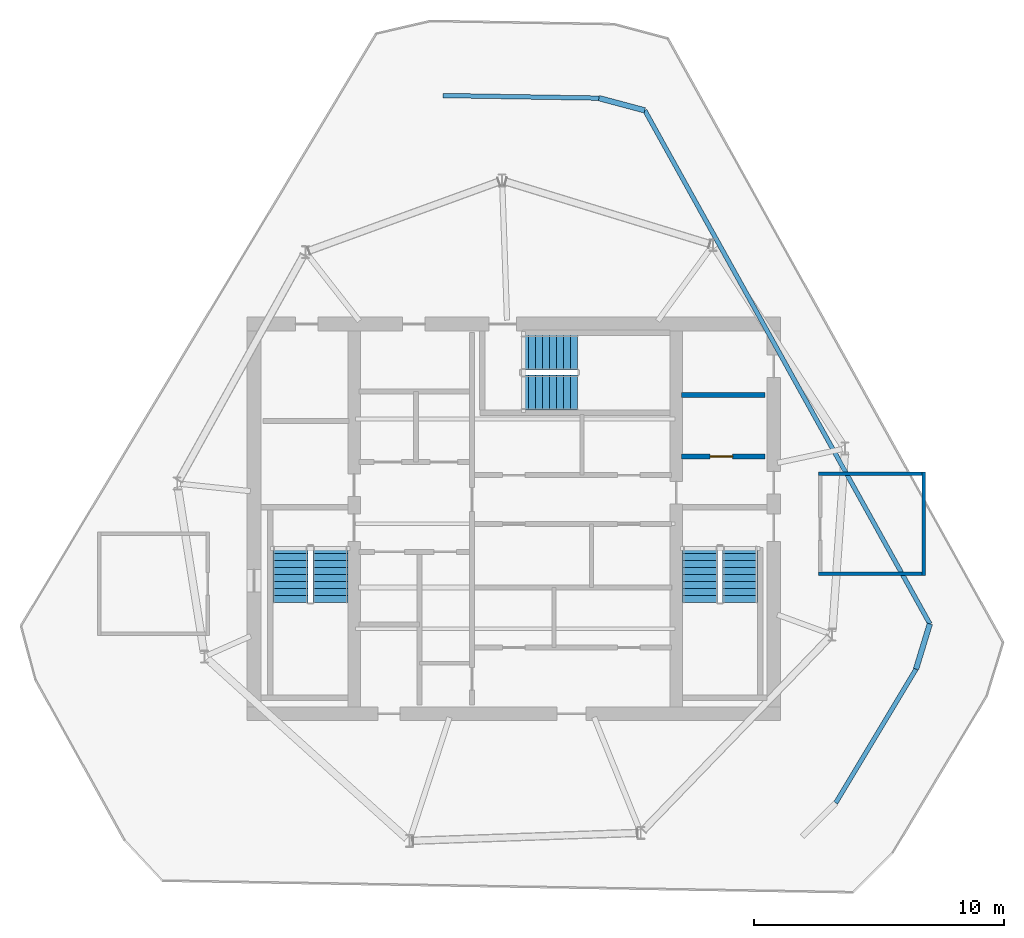
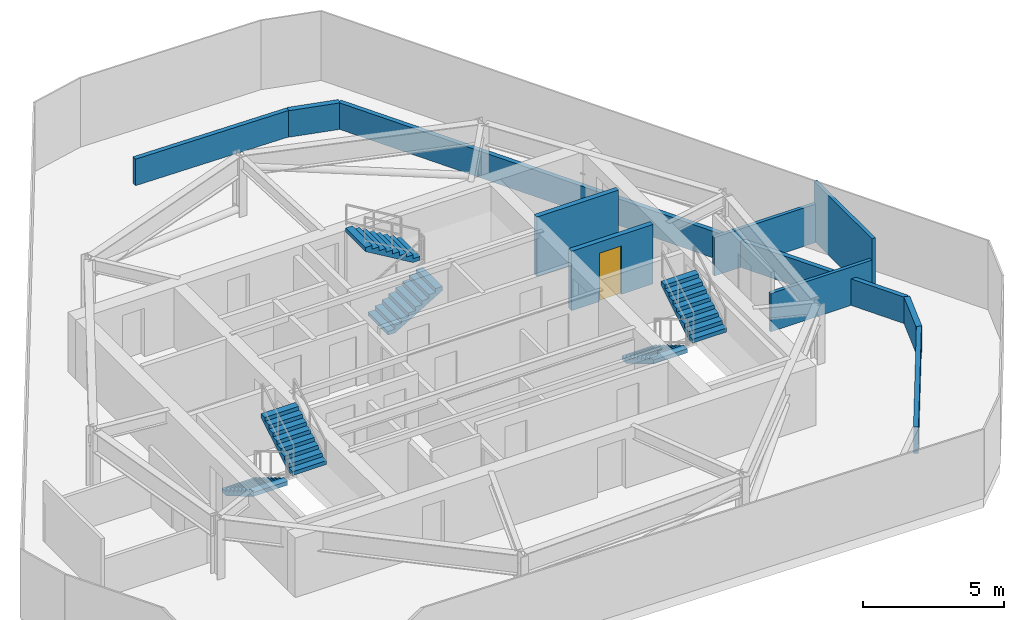
# One storey, part 5 of 6: 10 walls, 6 stair flights, 1 door, 1 opening, 3 elements without a shape of their own.
"""IFC4 building model written with IfcOpenShell, lengths in metres."""

from ifc_helpers import new_model, si_unit, direction, frame, frame_2d, origin, place, context, subcontext, project, spatial, polyline, rectangle, outline, extrude, material, layer, layer_set, type_object, element, fill, aggregate, save


model = new_model("IFC4")

# Units and contexts
model_context = context("Model", 3, precision=1e-05, world=origin(), true_north=direction((0.0, 1.0)))
body_context = subcontext(model_context, "Body", "Model", "MODEL_VIEW")
ifc_project = project(units=[si_unit("LENGTHUNIT", "METRE"), si_unit("AREAUNIT", "SQUARE_METRE"), si_unit("VOLUMEUNIT", "CUBIC_METRE"), si_unit("PLANEANGLEUNIT", "RADIAN"), si_unit("MASSUNIT", "GRAM", prefix="KILO")], contexts=[model_context])

# Site, building, storey
site_placement = place(None, origin())
site = spatial("IfcSite", under=ifc_project, at=site_placement, CompositionType="ELEMENT")
building_placement = place(site_placement, origin())
building = spatial("IfcBuilding", under=site, at=building_placement, Name="Qarnah Convention Tower", CompositionType="ELEMENT")
storey_placement = place(building_placement, frame((0.0, 0.0, 289.89990234375)))
storey = spatial("IfcBuildingStorey", under=building, at=storey_placement, Name="L78", CompositionType="ELEMENT", Elevation=289.89990234375)

# Wall, opening, door
ifc_material_1 = material(Name="Concrete C45/55", Category="concrete")
ifc_layer_1 = layer(ifc_material_1, 0.199951171875)
ifc_layer_set_1 = layer_set([ifc_layer_1], Name="Concrete C45/55")
wall_type_1 = type_object("IfcWallType", Name="WL-CORE-PART-200", PredefinedType="SOLIDWALL", material=ifc_layer_set_1)
wall_1_placement = place(storey_placement, frame((43.89990234375, 28.89990234375, 0.0), z_axis=(0.0, 0.0, 1.0), x_axis=(1.0, 0.0, 0.0)))
wall_1 = element("IfcWall", 1, at=wall_1_placement, inside=storey, type_object=wall_type_1, Name="L78 interior wall IW-L78-EVSTN", PredefinedType="SOLIDWALL", context=body_context, shape_type="SweptSolid", body=[
    extrude(rectangle(XDim=3.35009765625, YDim=0.199951171875, at=frame_2d((1.675048828125, 0.0))), origin(), (0.0, 0.0, 1.0), 2.580078125),
])
opening_placement = place(wall_1_placement, frame((1.14990234375, 0.0, 0.0)))
opening = element("IfcOpeningElement", 2, at=opening_placement, cuts=wall_1, Name="Opening D-7811", PredefinedType="OPENING", context=body_context, shape_type="SweptSolid", body=[
    extrude(rectangle(XDim=0.89990234375, YDim=2.10009765625, at=frame_2d((0.449951171875, 1.050048828125))), frame((0.0, 0.10986328125, 0.0), z_axis=(0.0, -1.0, 0.0), x_axis=(1.0, 0.0, 0.0)), (0.0, 0.0, 1.0), 0.219970703125),
])
ifc_material_2 = material(Name="Structural steel S355JR", Category="steel")
door_type = type_object("IfcDoorType", Name="DT-RISER-900", OperationType="NOTDEFINED", PredefinedType="DOOR", material=ifc_material_2)
door_placement = place(opening_placement, origin())
door = element("IfcDoor", 3, at=door_placement, inside=storey, type_object=door_type, Name="Door D-7811", OperationType="SINGLE_SWING_RIGHT", OverallHeight=2.10009765625, OverallWidth=0.89990234375, PredefinedType="DOOR", context=body_context, shape_type="SweptSolid", body=[
    extrude(rectangle(XDim=0.89990234375, YDim=2.10009765625, at=frame_2d((0.449951171875, 1.050048828125))), frame((0.0, 0.02490234375, 0.0), z_axis=(0.0, -1.0, 0.0), x_axis=(1.0, 0.0, 0.0)), (0.0, 0.0, 1.0), 0.050048828125),
])
fill(opening, door)

# Walls
wall_2_placement = place(storey_placement, frame((43.89990234375, 31.35009765625, 0.0), z_axis=(0.0, 0.0, 1.0), x_axis=(1.0, 0.0, 0.0)))
element("IfcWall", 4, at=wall_2_placement, inside=storey, type_object=wall_type_1, Name="L78 interior wall IW-L78-WTRN", PredefinedType="SOLIDWALL", context=body_context, shape_type="SweptSolid", body=[
    extrude(rectangle(XDim=3.35009765625, YDim=0.199951171875, at=frame_2d((1.675048828125, 0.0))), origin(), (0.0, 0.0, 1.0), 2.580078125),
])
ifc_material_3 = material(Name="Precast concrete C45/55", Category="concrete")
ifc_layer_2 = layer(ifc_material_3, 0.179931640625)
ifc_layer_set_2 = layer_set([ifc_layer_2], Name="Precast concrete C45/55")
wall_type_2 = type_object("IfcWallType", Name="WL-PAR-180", PredefinedType="PARAPET", material=ifc_layer_set_2)
wall_3_placement = place(storey_placement, frame((34.362060546875, 43.341064453125, 0.0), z_axis=(0.0, 0.0, 1.0), x_axis=(0.99986121605, -0.01665979106, 0.0)))
element("IfcWall", 5, at=wall_3_placement, inside=storey, type_object=wall_type_2, Name="L78 crown maintenance parapet 1", PredefinedType="PARAPET", context=body_context, shape_type="SweptSolid", body=[
    extrude(rectangle(XDim=6.242919921875, YDim=0.179931640625, at=frame_2d((3.12158203125, 0.0))), origin(), (0.0, 0.0, 1.0), 1.150146484375),
])
wall_4_placement = place(storey_placement, frame((42.43505859375, 42.7470703125, 0.0), z_axis=(0.0, 0.0, 1.0), x_axis=(0.485411824616, -0.874285628684, 0.0)))
element("IfcWall", 6, at=wall_4_placement, inside=storey, type_object=wall_type_2, Name="L78 crown maintenance parapet 3", PredefinedType="PARAPET", context=body_context, shape_type="SweptSolid", body=[
    extrude(rectangle(XDim=23.501708984375, YDim=0.179931640625, at=frame_2d((11.7509765625, 0.0))), origin(), (0.0, 0.0, 1.0), 1.150146484375),
])
wall_5_placement = place(storey_placement, frame((53.2900390625, 20.386962890625, 0.0), z_axis=(0.0, 0.0, 1.0), x_axis=(-0.514392221685, -0.857555037459, 0.0)))
element("IfcWall", 7, at=wall_5_placement, inside=storey, type_object=wall_type_2, Name="L78 crown maintenance parapet 5", PredefinedType="PARAPET", context=body_context, shape_type="SweptSolid", body=[
    extrude(rectangle(XDim=6.2421875, YDim=0.179931640625, at=frame_2d((3.12109375, 0.0))), origin(), (0.0, 0.0, 1.0), 1.150146484375),
])
ifc_layer_3 = layer(ifc_material_3, 0.219970703125)
ifc_layer_set_3 = layer_set([ifc_layer_3], Name="Precast concrete C45/55")
wall_type_3 = type_object("IfcWallType", Name="WL-PAR-220", PredefinedType="PARAPET", material=ifc_layer_set_3)
for number, where, z_axis, x_axis, name in (
    (8, (40.60400390625, 43.237060546875, 0.0), (0.0, 0.0, 1.0), (0.96601010587, -0.258504304331, 0.0), "L78 crown maintenance parapet 2"),
    (9, (53.843017578125, 22.199951171875, 0.0), (0.0, 0.0, 1.0), (-0.29174073409, -0.956497435476, 0.0), "L78 crown maintenance parapet 4"),
):
    element("IfcWall", number, at=place(storey_placement, frame(where, z_axis=z_axis, x_axis=x_axis)), inside=storey, type_object=wall_type_3, Name=name, PredefinedType="PARAPET", context=body_context, shape_type="SweptSolid", body=[
        extrude(rectangle(XDim=1.8955078125, YDim=0.219970703125, at=frame_2d((0.94775390625, 0.0))), origin(), (0.0, 0.0, 1.0), 1.150146484375),
    ])
ifc_material_4 = material(Name="Gypsum partition board")
ifc_layer_4 = layer(ifc_material_4, 0.139892578125)
ifc_layer_set_4 = layer_set([ifc_layer_4], Name="Gypsum partition board")
wall_type_4 = type_object("IfcWallType", Name="WL-WET-140", PredefinedType="PARTITIONING", material=ifc_layer_set_4)
wall_6_placement = place(storey_placement, frame((49.3798828125, 24.199951171875, 0.0), z_axis=(0.0, 0.0, 1.0), x_axis=(1.0, 0.0, 0.0)))
element("IfcWall", 10, at=wall_6_placement, inside=storey, type_object=wall_type_4, Name="L78 interior wall IW-L78-SWGP-1", PredefinedType="PARTITIONING", context=body_context, shape_type="SweptSolid", body=[
    extrude(rectangle(XDim=4.2900390625, YDim=0.139892578125, at=frame_2d((2.14501953125, 0.0))), origin(), (0.0, 0.0, 1.0), 1.6650390625),
])
wall_7_placement = place(storey_placement, frame((53.60009765625, 24.1298828125, 0.0), z_axis=(0.0, 0.0, 1.0), x_axis=(0.0, 1.0, 0.0)))
element("IfcWall", 11, at=wall_7_placement, inside=storey, type_object=wall_type_4, Name="L78 interior wall IW-L78-SWGP-2", PredefinedType="PARTITIONING", context=body_context, shape_type="SweptSolid", body=[
    extrude(rectangle(XDim=4.14013671875, YDim=0.139892578125, at=frame_2d((2.070068359375, 0.0))), origin(), (0.0, 0.0, 1.0), 2.580078125),
])
wall_8_placement = place(storey_placement, frame((53.669921875, 28.199951171875, 0.0), z_axis=(0.0, 0.0, 1.0), x_axis=(-1.0, 0.0, 0.0)))
element("IfcWall", 12, at=wall_8_placement, inside=storey, type_object=wall_type_4, Name="L78 interior wall IW-L78-SWGP-3", PredefinedType="PARTITIONING", context=body_context, shape_type="SweptSolid", body=[
    extrude(rectangle(XDim=4.2900390625, YDim=0.139892578125, at=frame_2d((2.14501953125, 0.0))), origin(), (0.0, 0.0, 1.0), 1.6650390625),
])

# Stair, stair flights
ifc_material_5 = material(Name="Concrete C50/60", Category="concrete")
stair_type = type_object("IfcStairType", Name="STR-CRN", PredefinedType="HALF_TURN_STAIR", material=ifc_material_5)
stair_1_placement = place(storey_placement, origin())
stair_1 = element("IfcStair", 13, at=stair_1_placement, inside=storey, type_object=stair_type, Name="L78 Core exit stair ST-1", PredefinedType="HALF_TURN_STAIR")
stair_flight_type = type_object("IfcStairFlightType", Name="FLT-CRN", PredefinedType="STRAIGHT", material=ifc_material_5)
stair_flight_1_placement = place(storey_placement, frame((28.25, 25.300048828125, 0.0), z_axis=(0.0, 0.0, 1.0), x_axis=(0.0, -1.0, 0.0)))
stair_flight_1 = element("IfcStairFlight", 14, at=stair_flight_1_placement, type_object=stair_flight_type, Name="ST-1 flight 1", NumberOfRisers=9, NumberOfTreads=8, PredefinedType="STRAIGHT", RiserHeight=0.166666667, TreadLength=0.28, context=body_context, shape_type="SweptSolid", body=[
    extrude(outline(polyline([(0.0, 0.0), (0.0, 0.166748046875), (0.280029296875, 0.166748046875), (0.280029296875, 0.333251953125), (0.56005859375, 0.333251953125), (0.56005859375, 0.5), (0.840087890625, 0.5), (0.840087890625, 0.666748046875), (1.1201171875, 0.666748046875), (1.1201171875, 0.833251953125), (1.39990234375, 0.833251953125), (1.39990234375, 1.0), (1.679931640625, 1.0), (1.679931640625, 1.166748046875), (1.9599609375, 1.166748046875), (1.9599609375, 1.333251953125), (2.239990234375, 1.333251953125), (2.239990234375, 1.5), (2.239990234375, 1.158935546875), (0.29296875, 0.0), (0.0, 0.0)])), frame((0.0, 0.699951171875, 0.0), z_axis=(0.0, -1.0, 0.0), x_axis=(1.0, 0.0, 0.0)), (0.0, 0.0, 1.0), 1.39990234375),
])
stair_flight_2_placement = place(storey_placement, frame((29.85009765625, 23.06005859375, 1.5), z_axis=(0.0, 0.0, 1.0), x_axis=(0.0, 1.0, 0.0)))
stair_flight_2 = element("IfcStairFlight", 15, at=stair_flight_2_placement, type_object=stair_flight_type, Name="ST-1 flight 2", NumberOfRisers=9, NumberOfTreads=8, PredefinedType="STRAIGHT", RiserHeight=0.166666667, TreadLength=0.28, context=body_context, shape_type="SweptSolid", body=[
    extrude(outline(polyline([(0.0, 0.0), (0.0, 0.166748046875), (0.280029296875, 0.166748046875), (0.280029296875, 0.333251953125), (0.56005859375, 0.333251953125), (0.56005859375, 0.5), (0.840087890625, 0.5), (0.840087890625, 0.666748046875), (1.1201171875, 0.666748046875), (1.1201171875, 0.833251953125), (1.39990234375, 0.833251953125), (1.39990234375, 1.0), (1.679931640625, 1.0), (1.679931640625, 1.166748046875), (1.9599609375, 1.166748046875), (1.9599609375, 1.333251953125), (2.239990234375, 1.333251953125), (2.239990234375, 1.5), (2.239990234375, 1.158935546875), (0.29296875, 0.0), (0.0, 0.0)])), frame((0.0, 0.699951171875, 0.0), z_axis=(0.0, -1.0, 0.0), x_axis=(1.0, 0.0, 0.0)), (0.0, 0.0, 1.0), 1.39990234375),
])
aggregate(stair_1, [stair_flight_1, stair_flight_2])

stair_2_placement = place(storey_placement, origin())
stair_2 = element("IfcStair", 16, at=stair_2_placement, inside=storey, type_object=stair_type, Name="L78 Core exit stair ST-2", PredefinedType="HALF_TURN_STAIR")
stair_flight_3_placement = place(storey_placement, frame((44.64990234375, 25.300048828125, 0.0), z_axis=(0.0, 0.0, 1.0), x_axis=(0.0, -1.0, 0.0)))
stair_flight_3 = element("IfcStairFlight", 17, at=stair_flight_3_placement, type_object=stair_flight_type, Name="ST-2 flight 1", NumberOfRisers=9, NumberOfTreads=8, PredefinedType="STRAIGHT", RiserHeight=0.166666667, TreadLength=0.28, context=body_context, shape_type="SweptSolid", body=[
    extrude(outline(polyline([(0.0, 0.0), (0.0, 0.166748046875), (0.280029296875, 0.166748046875), (0.280029296875, 0.333251953125), (0.56005859375, 0.333251953125), (0.56005859375, 0.5), (0.840087890625, 0.5), (0.840087890625, 0.666748046875), (1.1201171875, 0.666748046875), (1.1201171875, 0.833251953125), (1.39990234375, 0.833251953125), (1.39990234375, 1.0), (1.679931640625, 1.0), (1.679931640625, 1.166748046875), (1.9599609375, 1.166748046875), (1.9599609375, 1.333251953125), (2.239990234375, 1.333251953125), (2.239990234375, 1.5), (2.239990234375, 1.158935546875), (0.29296875, 0.0), (0.0, 0.0)])), frame((0.0, 0.699951171875, 0.0), z_axis=(0.0, -1.0, 0.0), x_axis=(1.0, 0.0, 0.0)), (0.0, 0.0, 1.0), 1.39990234375),
])
stair_flight_4_placement = place(storey_placement, frame((46.25, 23.06005859375, 1.5), z_axis=(0.0, 0.0, 1.0), x_axis=(0.0, 1.0, 0.0)))
stair_flight_4 = element("IfcStairFlight", 18, at=stair_flight_4_placement, type_object=stair_flight_type, Name="ST-2 flight 2", NumberOfRisers=9, NumberOfTreads=8, PredefinedType="STRAIGHT", RiserHeight=0.166666667, TreadLength=0.28, context=body_context, shape_type="SweptSolid", body=[
    extrude(outline(polyline([(0.0, 0.0), (0.0, 0.166748046875), (0.280029296875, 0.166748046875), (0.280029296875, 0.333251953125), (0.56005859375, 0.333251953125), (0.56005859375, 0.5), (0.840087890625, 0.5), (0.840087890625, 0.666748046875), (1.1201171875, 0.666748046875), (1.1201171875, 0.833251953125), (1.39990234375, 0.833251953125), (1.39990234375, 1.0), (1.679931640625, 1.0), (1.679931640625, 1.166748046875), (1.9599609375, 1.166748046875), (1.9599609375, 1.333251953125), (2.239990234375, 1.333251953125), (2.239990234375, 1.5), (2.239990234375, 1.158935546875), (0.29296875, 0.0), (0.0, 0.0)])), frame((0.0, 0.699951171875, 0.0), z_axis=(0.0, -1.0, 0.0), x_axis=(1.0, 0.0, 0.0)), (0.0, 0.0, 1.0), 1.39990234375),
])
aggregate(stair_2, [stair_flight_3, stair_flight_4])

stair_3_placement = place(storey_placement, origin())
stair_3 = element("IfcStair", 19, at=stair_3_placement, inside=storey, type_object=stair_type, Name="L78 Core exit stair ST-3", PredefinedType="HALF_TURN_STAIR")
stair_flight_5_placement = place(storey_placement, frame((37.5, 31.449951171875, 0.0), z_axis=(0.0, 0.0, 1.0), x_axis=(1.0, 0.0, 0.0)))
stair_flight_5 = element("IfcStairFlight", 20, at=stair_flight_5_placement, type_object=stair_flight_type, Name="ST-3 flight 1", NumberOfRisers=9, NumberOfTreads=8, PredefinedType="STRAIGHT", RiserHeight=0.166666667, TreadLength=0.28, context=body_context, shape_type="SweptSolid", body=[
    extrude(outline(polyline([(0.0, 0.0), (0.0, 0.166748046875), (0.280029296875, 0.166748046875), (0.280029296875, 0.333251953125), (0.56005859375, 0.333251953125), (0.56005859375, 0.5), (0.840087890625, 0.5), (0.840087890625, 0.666748046875), (1.1201171875, 0.666748046875), (1.1201171875, 0.833251953125), (1.39990234375, 0.833251953125), (1.39990234375, 1.0), (1.679931640625, 1.0), (1.679931640625, 1.166748046875), (1.9599609375, 1.166748046875), (1.9599609375, 1.333251953125), (2.239990234375, 1.333251953125), (2.239990234375, 1.5), (2.239990234375, 1.158935546875), (0.29296875, 0.0), (0.0, 0.0)])), frame((0.0, 0.699951171875, 0.0), z_axis=(0.0, -1.0, 0.0), x_axis=(1.0, 0.0, 0.0)), (0.0, 0.0, 1.0), 1.39990234375),
])
stair_flight_6_placement = place(storey_placement, frame((39.739990234375, 33.050048828125, 1.5), z_axis=(0.0, 0.0, 1.0), x_axis=(-1.0, 0.0, 0.0)))
stair_flight_6 = element("IfcStairFlight", 21, at=stair_flight_6_placement, type_object=stair_flight_type, Name="ST-3 flight 2", NumberOfRisers=9, NumberOfTreads=8, PredefinedType="STRAIGHT", RiserHeight=0.166666667, TreadLength=0.28, context=body_context, shape_type="SweptSolid", body=[
    extrude(outline(polyline([(0.0, 0.0), (0.0, 0.166748046875), (0.280029296875, 0.166748046875), (0.280029296875, 0.333251953125), (0.56005859375, 0.333251953125), (0.56005859375, 0.5), (0.840087890625, 0.5), (0.840087890625, 0.666748046875), (1.1201171875, 0.666748046875), (1.1201171875, 0.833251953125), (1.39990234375, 0.833251953125), (1.39990234375, 1.0), (1.679931640625, 1.0), (1.679931640625, 1.166748046875), (1.9599609375, 1.166748046875), (1.9599609375, 1.333251953125), (2.239990234375, 1.333251953125), (2.239990234375, 1.5), (2.239990234375, 1.158935546875), (0.29296875, 0.0), (0.0, 0.0)])), frame((0.0, 0.699951171875, 0.0), z_axis=(0.0, -1.0, 0.0), x_axis=(1.0, 0.0, 0.0)), (0.0, 0.0, 1.0), 1.39990234375),
])
aggregate(stair_3, [stair_flight_5, stair_flight_6])

save(model, "model.ifc")
